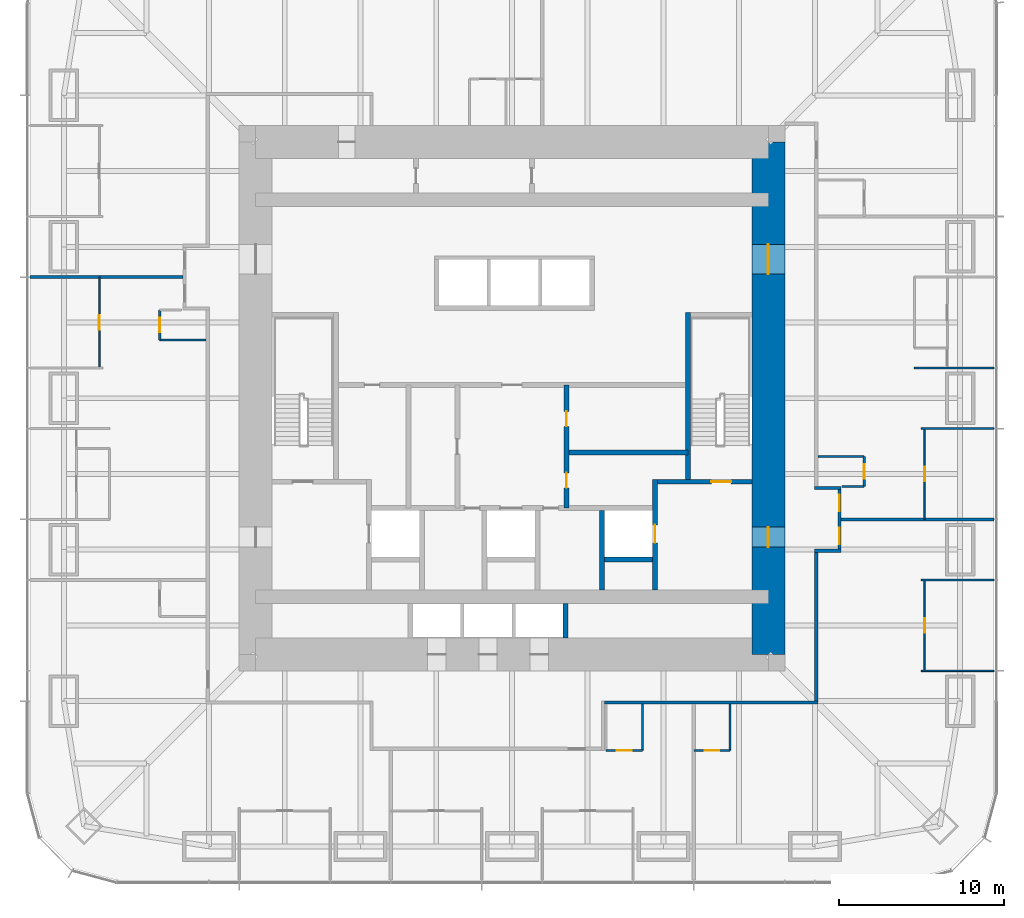
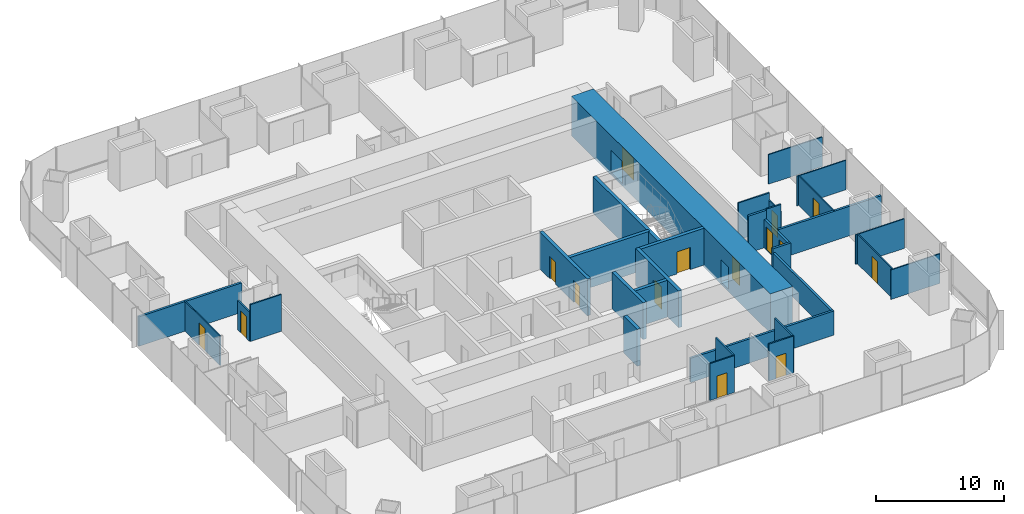
# One storey, part 10 of 13: 32 walls, 15 doors, 15 openings.
"""IFC4 building model written with IfcOpenShell, lengths in metres."""

from ifc_helpers import new_model, si_unit, direction, frame, frame_2d, origin, place, context, subcontext, project, spatial, rectangle, extrude, material, layer, layer_set, type_object, element, fill, save


model = new_model("IFC4")

# Units and contexts
model_context = context("Model", 3, precision=1e-05, world=origin(), true_north=direction((0.0, 1.0)))
body_context = subcontext(model_context, "Body", "Model", "MODEL_VIEW")
ifc_project = project(units=[si_unit("LENGTHUNIT", "METRE"), si_unit("AREAUNIT", "SQUARE_METRE"), si_unit("VOLUMEUNIT", "CUBIC_METRE"), si_unit("PLANEANGLEUNIT", "RADIAN"), si_unit("MASSUNIT", "GRAM", prefix="KILO")], contexts=[model_context])

# Site, building, storey
site_placement = place(None, origin())
site = spatial("IfcSite", under=ifc_project, at=site_placement, CompositionType="ELEMENT")
building_placement = place(site_placement, origin())
building = spatial("IfcBuilding", under=site, at=building_placement, Name="Khuree Lantern Residences", CompositionType="ELEMENT")
storey_placement = place(building_placement, frame((0.0, 0.0, 114.75)))
storey = spatial("IfcBuildingStorey", under=building, at=storey_placement, Name="L28", CompositionType="ELEMENT", Elevation=114.75)

# Wall, opening, door
ifc_material_1 = material(Name="Moisture-resistant gypsum board on steel studs", Category="steel")
ifc_layer_1 = layer(ifc_material_1, 0.125)
ifc_layer_set_1 = layer_set([ifc_layer_1], Name="BATHROOM WALL BTW125")
wall_type_1 = type_object("IfcWallType", Name="BATHROOM WALL BTW125", PredefinedType="PARTITIONING", material=ifc_layer_set_1)
wall_1_placement = place(storey_placement, frame((21.300048828125, -5.327880859375, 0.0), z_axis=(0.0, 0.0, 1.0), x_axis=(0.0, 1.0, 0.0)))
wall_1 = element("IfcWall", 1, at=wall_1_placement, inside=storey, type_object=wall_type_1, Name="L28 BATHROOM WALL 01", PredefinedType="PARTITIONING", context=body_context, shape_type="SweptSolid", body=[
    extrude(rectangle(XDim=1.7998046875, YDim=0.125, at=frame_2d((0.89990234375, 0.0))), origin(), (0.0, 0.0, 1.0), 2.81005859375),
])
opening_1_placement = place(wall_1_placement, frame((0.449951171875, 0.0, 0.0)))
opening_1 = element("IfcOpeningElement", 2, at=opening_1_placement, cuts=wall_1, Name="Opening 28-026", PredefinedType="OPENING", context=body_context, shape_type="SweptSolid", body=[
    extrude(rectangle(XDim=0.89990234375, YDim=2.10009765625, at=frame_2d((0.449951171875, 1.050048828125))), frame((0.0, 0.072509765625, 0.0), z_axis=(0.0, -1.0, 0.0), x_axis=(1.0, 0.0, 0.0)), (0.0, 0.0, 1.0), 0.14501953125),
])
ifc_material_2 = material(Name="Timber door leaf in hardwood frame", Category="wood")
door_type_1 = type_object("IfcDoorType", Name="BATHROOM DOOR 900X2100", OperationType="SINGLE_SWING_LEFT", PredefinedType="DOOR", material=ifc_material_2)
door_1_placement = place(opening_1_placement, origin())
door_1 = element("IfcDoor", 3, at=door_1_placement, inside=storey, type_object=door_type_1, Name="Bathroom door 28-026", OperationType="SINGLE_SWING_LEFT", OverallHeight=2.10009765625, OverallWidth=0.89990234375, PredefinedType="DOOR", context=body_context, shape_type="SweptSolid", body=[
    extrude(rectangle(XDim=0.89990234375, YDim=2.10009765625, at=frame_2d((0.449951171875, 1.050048828125))), frame((0.0, 0.02490234375, 0.0), z_axis=(0.0, -1.0, 0.0), x_axis=(1.0, 0.0, 0.0)), (0.0, 0.0, 1.0), 0.050048828125),
])
fill(opening_1, door_1)

# Walls
wall_2_placement = place(storey_placement, frame((19.969970703125, -5.327880859375, 0.0), z_axis=(0.0, 0.0, 1.0), x_axis=(1.0, 0.0, 0.0)))
element("IfcWall", 4, at=wall_2_placement, inside=storey, type_object=wall_type_1, Name="L28 BATHROOM WALL 01", PredefinedType="PARTITIONING", context=body_context, shape_type="SweptSolid", body=[
    extrude(rectangle(XDim=1.330078125, YDim=0.125, at=frame_2d((0.6650390625, 0.0))), origin(), (0.0, 0.0, 1.0), 3.5),
])
wall_3_placement = place(storey_placement, frame((18.5, -3.528076171875, 0.0), z_axis=(0.0, 0.0, 1.0), x_axis=(1.0, 0.0, 0.0)))
element("IfcWall", 5, at=wall_3_placement, inside=storey, type_object=wall_type_1, Name="L28 BATHROOM WALL 01", PredefinedType="PARTITIONING", context=body_context, shape_type="SweptSolid", body=[
    extrude(rectangle(XDim=2.800048828125, YDim=0.125, at=frame_2d((1.39990234375, 0.0))), origin(), (0.0, 0.0, 1.0), 3.5),
])

# Wall, opening, door
wall_4_placement = place(storey_placement, frame((-21.300048828125, 5.327880859375, 0.0), z_axis=(0.0, 0.0, 1.0), x_axis=(0.0, -1.0, 0.0)))
wall_4 = element("IfcWall", 6, at=wall_4_placement, inside=storey, type_object=wall_type_1, Name="L28 BATHROOM WALL 04", PredefinedType="PARTITIONING", context=body_context, shape_type="SweptSolid", body=[
    extrude(rectangle(XDim=1.7998046875, YDim=0.125, at=frame_2d((0.89990234375, 0.0))), origin(), (0.0, 0.0, 1.0), 2.81005859375),
])
opening_2_placement = place(wall_4_placement, frame((0.449951171875, 0.0, 0.0)))
opening_2 = element("IfcOpeningElement", 7, at=opening_2_placement, cuts=wall_4, Name="Opening 28-040", PredefinedType="OPENING", context=body_context, shape_type="SweptSolid", body=[
    extrude(rectangle(XDim=0.89990234375, YDim=2.10009765625, at=frame_2d((0.449951171875, 1.050048828125))), frame((0.0, 0.072509765625, 0.0), z_axis=(0.0, -1.0, 0.0), x_axis=(1.0, 0.0, 0.0)), (0.0, 0.0, 1.0), 0.14501953125),
])
door_2_placement = place(opening_2_placement, origin())
door_2 = element("IfcDoor", 8, at=door_2_placement, inside=storey, type_object=door_type_1, Name="Bathroom door 28-040", OperationType="SINGLE_SWING_LEFT", OverallHeight=2.10009765625, OverallWidth=0.89990234375, PredefinedType="DOOR", context=body_context, shape_type="SweptSolid", body=[
    extrude(rectangle(XDim=0.89990234375, YDim=2.10009765625, at=frame_2d((0.449951171875, 1.050048828125))), frame((0.0, 0.02490234375, 0.0), z_axis=(0.0, -1.0, 0.0), x_axis=(1.0, 0.0, 0.0)), (0.0, 0.0, 1.0), 0.050048828125),
])
fill(opening_2, door_2)

# Wall
wall_5_placement = place(storey_placement, frame((-18.5, 3.528076171875, 0.0), z_axis=(0.0, 0.0, 1.0), x_axis=(-1.0, 0.0, 0.0)))
element("IfcWall", 9, at=wall_5_placement, inside=storey, type_object=wall_type_1, Name="L28 BATHROOM WALL 04", PredefinedType="PARTITIONING", context=body_context, shape_type="SweptSolid", body=[
    extrude(rectangle(XDim=2.800048828125, YDim=0.125, at=frame_2d((1.39990234375, 0.0))), origin(), (0.0, 0.0, 1.0), 3.5),
])

# Wall, opening, door
wall_6_placement = place(storey_placement, frame((5.68359375, -21.300048828125, 0.0), z_axis=(0.0, 0.0, 1.0), x_axis=(1.0, 0.0, 0.0)))
wall_6 = element("IfcWall", 10, at=wall_6_placement, inside=storey, type_object=wall_type_1, Name="L28 BATHROOM WALL 06", PredefinedType="PARTITIONING", context=body_context, shape_type="SweptSolid", body=[
    extrude(rectangle(XDim=2.199951171875, YDim=0.125, at=frame_2d((1.10009765625, 0.0))), origin(), (0.0, 0.0, 1.0), 3.5),
])
opening_3_placement = place(wall_6_placement, frame((0.64990234375, 0.0, 0.0)))
opening_3 = element("IfcOpeningElement", 11, at=opening_3_placement, cuts=wall_6, Name="Opening 28-047", PredefinedType="OPENING", context=body_context, shape_type="SweptSolid", body=[
    extrude(rectangle(XDim=0.89990234375, YDim=2.10009765625, at=frame_2d((0.449951171875, 1.050048828125))), frame((0.0, 0.072509765625, 0.0), z_axis=(0.0, -1.0, 0.0), x_axis=(1.0, 0.0, 0.0)), (0.0, 0.0, 1.0), 0.14501953125),
])
door_3_placement = place(opening_3_placement, origin())
door_3 = element("IfcDoor", 12, at=door_3_placement, inside=storey, type_object=door_type_1, Name="Bathroom door 28-047", OperationType="SINGLE_SWING_LEFT", OverallHeight=2.10009765625, OverallWidth=0.89990234375, PredefinedType="DOOR", context=body_context, shape_type="SweptSolid", body=[
    extrude(rectangle(XDim=0.89990234375, YDim=2.10009765625, at=frame_2d((0.449951171875, 1.050048828125))), frame((0.0, 0.02490234375, 0.0), z_axis=(0.0, -1.0, 0.0), x_axis=(1.0, 0.0, 0.0)), (0.0, 0.0, 1.0), 0.050048828125),
])
fill(opening_3, door_3)

# Wall
wall_7_placement = place(storey_placement, frame((7.883544921875, -18.5, 0.0), z_axis=(0.0, 0.0, 1.0), x_axis=(0.0, -1.0, 0.0)))
element("IfcWall", 13, at=wall_7_placement, inside=storey, type_object=wall_type_1, Name="L28 BATHROOM WALL 06", PredefinedType="PARTITIONING", context=body_context, shape_type="SweptSolid", body=[
    extrude(rectangle(XDim=2.800048828125, YDim=0.125, at=frame_2d((1.39990234375, 0.0))), origin(), (0.0, 0.0, 1.0), 3.5),
])

# Wall, opening, door
wall_8_placement = place(storey_placement, frame((10.991943359375, -21.300048828125, 0.0), z_axis=(0.0, 0.0, 1.0), x_axis=(1.0, 0.0, 0.0)))
wall_8 = element("IfcWall", 14, at=wall_8_placement, inside=storey, type_object=wall_type_1, Name="L28 BATHROOM WALL 07", PredefinedType="PARTITIONING", context=body_context, shape_type="SweptSolid", body=[
    extrude(rectangle(XDim=2.199951171875, YDim=0.125, at=frame_2d((1.10009765625, 0.0))), origin(), (0.0, 0.0, 1.0), 3.5),
])
opening_4_placement = place(wall_8_placement, frame((0.64990234375, 0.0, 0.0)))
opening_4 = element("IfcOpeningElement", 15, at=opening_4_placement, cuts=wall_8, Name="Opening 28-050", PredefinedType="OPENING", context=body_context, shape_type="SweptSolid", body=[
    extrude(rectangle(XDim=0.89990234375, YDim=2.10009765625, at=frame_2d((0.449951171875, 1.050048828125))), frame((0.0, 0.072509765625, 0.0), z_axis=(0.0, -1.0, 0.0), x_axis=(1.0, 0.0, 0.0)), (0.0, 0.0, 1.0), 0.14501953125),
])
door_4_placement = place(opening_4_placement, origin())
door_4 = element("IfcDoor", 16, at=door_4_placement, inside=storey, type_object=door_type_1, Name="Bathroom door 28-050", OperationType="SINGLE_SWING_LEFT", OverallHeight=2.10009765625, OverallWidth=0.89990234375, PredefinedType="DOOR", context=body_context, shape_type="SweptSolid", body=[
    extrude(rectangle(XDim=0.89990234375, YDim=2.10009765625, at=frame_2d((0.449951171875, 1.050048828125))), frame((0.0, 0.02490234375, 0.0), z_axis=(0.0, -1.0, 0.0), x_axis=(1.0, 0.0, 0.0)), (0.0, 0.0, 1.0), 0.050048828125),
])
fill(opening_4, door_4)

# Wall
wall_9_placement = place(storey_placement, frame((13.19189453125, -18.5, 0.0), z_axis=(0.0, 0.0, 1.0), x_axis=(0.0, -1.0, 0.0)))
element("IfcWall", 17, at=wall_9_placement, inside=storey, type_object=wall_type_1, Name="L28 BATHROOM WALL 07", PredefinedType="PARTITIONING", context=body_context, shape_type="SweptSolid", body=[
    extrude(rectangle(XDim=2.800048828125, YDim=0.125, at=frame_2d((1.39990234375, 0.0))), origin(), (0.0, 0.0, 1.0), 3.5),
])

# Wall, opening, door
ifc_material_3 = material(Name="Dense concrete blockwork", Category="masonry")
ifc_layer_2 = layer(ifc_material_3, 0.300048828125)
ifc_layer_set_2 = layer_set([ifc_layer_2], Name="CORE PARTITION WALL CPW300 EI 120")
wall_type_2 = type_object("IfcWallType", Name="CORE PARTITION WALL CPW300 EI 120", PredefinedType="PARTITIONING", material=ifc_layer_set_2)
wall_10_placement = place(storey_placement, frame((8.64990234375, -11.60009765625, 0.0), z_axis=(0.0, 0.0, 1.0), x_axis=(0.0, 1.0, 0.0)))
wall_10 = element("IfcWall", 18, at=wall_10_placement, inside=storey, type_object=wall_type_2, Name="L28 CORE WALL FL2E", PredefinedType="PARTITIONING", context=body_context, shape_type="SweptSolid", body=[
    extrude(rectangle(XDim=6.7001953125, YDim=0.300048828125, at=frame_2d((3.35009765625, 0.0))), origin(), (0.0, 0.0, 1.0), 3.5),
])
opening_5_placement = place(wall_10_placement, frame((2.85009765625, 0.0, 0.0)))
opening_5 = element("IfcOpeningElement", 19, at=opening_5_placement, cuts=wall_10, Name="Opening 28-008", PredefinedType="OPENING", context=body_context, shape_type="SweptSolid", body=[
    extrude(rectangle(XDim=1.10009765625, YDim=2.10009765625, at=frame_2d((0.550048828125, 1.050048828125))), frame((0.0, 0.16015625, 0.0), z_axis=(0.0, -1.0, 0.0), x_axis=(1.0, 0.0, 0.0)), (0.0, 0.0, 1.0), 0.320068359375),
])
ifc_material_4 = material(Name="Stainless steel lift landing door", Category="steel")
door_type_2 = type_object("IfcDoorType", Name="LIFT LANDING DOOR 1100X2100 E 120", OperationType="DOUBLE_DOOR_SLIDING", PredefinedType="DOOR", material=ifc_material_4)
door_5_placement = place(opening_5_placement, origin())
door_5 = element("IfcDoor", 20, at=door_5_placement, inside=storey, type_object=door_type_2, Name="Landing door FL2 28-008", OperationType="DOUBLE_DOOR_SLIDING", OverallHeight=2.10009765625, OverallWidth=1.10009765625, PredefinedType="DOOR", context=body_context, shape_type="SweptSolid", body=[
    extrude(rectangle(XDim=1.10009765625, YDim=2.10009765625, at=frame_2d((0.550048828125, 1.050048828125))), frame((0.0, 0.02490234375, 0.0), z_axis=(0.0, -1.0, 0.0), x_axis=(1.0, 0.0, 0.0)), (0.0, 0.0, 1.0), 0.050048828125),
])
fill(opening_5, door_5)

# Walls
wall_11_placement = place(storey_placement, frame((5.449951171875, -11.60009765625, 0.0), z_axis=(0.0, 0.0, 1.0), x_axis=(0.0, 1.0, 0.0)))
element("IfcWall", 21, at=wall_11_placement, inside=storey, type_object=wall_type_2, Name="L28 CORE WALL FL2W", PredefinedType="PARTITIONING", context=body_context, shape_type="SweptSolid", body=[
    extrude(rectangle(XDim=4.800048828125, YDim=0.300048828125, at=frame_2d((2.39990234375, 0.0))), origin(), (0.0, 0.0, 1.0), 3.5),
])
wall_12_placement = place(storey_placement, frame((5.60009765625, -9.75, 0.0), z_axis=(0.0, 0.0, 1.0), x_axis=(1.0, 0.0, 0.0)))
element("IfcWall", 22, at=wall_12_placement, inside=storey, type_object=wall_type_2, Name="L28 CORE WALL FL2S", PredefinedType="PARTITIONING", context=body_context, shape_type="SweptSolid", body=[
    extrude(rectangle(XDim=2.89990234375, YDim=0.300048828125, at=frame_2d((1.449951171875, 0.0))), origin(), (0.0, 0.0, 1.0), 3.5),
])
wall_13_placement = place(storey_placement, frame((3.25, -14.5, 0.0), z_axis=(0.0, 0.0, 1.0), x_axis=(0.0, 1.0, 0.0)))
element("IfcWall", 23, at=wall_13_placement, inside=storey, type_object=wall_type_2, Name="L28 CORE WALL PME", PredefinedType="PARTITIONING", context=body_context, shape_type="SweptSolid", body=[
    extrude(rectangle(XDim=2.10009765625, YDim=0.300048828125, at=frame_2d((1.050048828125, 0.0))), origin(), (0.0, 0.0, 1.0), 3.5),
])

# Wall, openings, doors
wall_14_placement = place(storey_placement, frame((3.300048828125, -6.64990234375, 0.0), z_axis=(0.0, 0.0, 1.0), x_axis=(0.0, 1.0, 0.0)))
wall_14 = element("IfcWall", 24, at=wall_14_placement, inside=storey, type_object=wall_type_2, Name="L28 CORE WALL SVE", PredefinedType="PARTITIONING", context=body_context, shape_type="SweptSolid", body=[
    extrude(rectangle(XDim=7.449951171875, YDim=0.300048828125, at=frame_2d((3.72509765625, 0.0))), origin(), (0.0, 0.0, 1.0), 3.5),
])
opening_6_placement = place(wall_14_placement, frame((1.23095703125, 0.0, 0.0)))
opening_6 = element("IfcOpeningElement", 25, at=opening_6_placement, cuts=wall_14, Name="Opening 28-018", PredefinedType="OPENING", context=body_context, shape_type="SweptSolid", body=[
    extrude(rectangle(XDim=0.89990234375, YDim=2.10009765625, at=frame_2d((0.449951171875, 1.050048828125))), frame((0.0, 0.16015625, 0.0), z_axis=(0.0, -1.0, 0.0), x_axis=(1.0, 0.0, 0.0)), (0.0, 0.0, 1.0), 0.320068359375),
])
opening_7_placement = place(wall_14_placement, frame((4.9560546875, 0.0, 0.0)))
opening_7 = element("IfcOpeningElement", 26, at=opening_7_placement, cuts=wall_14, Name="Opening 28-019", PredefinedType="OPENING", context=body_context, shape_type="SweptSolid", body=[
    extrude(rectangle(XDim=0.89990234375, YDim=2.10009765625, at=frame_2d((0.449951171875, 1.050048828125))), frame((0.0, 0.16015625, 0.0), z_axis=(0.0, -1.0, 0.0), x_axis=(1.0, 0.0, 0.0)), (0.0, 0.0, 1.0), 0.320068359375),
])
door_type_3 = type_object("IfcDoorType", Name="DOOR 900X2100", OperationType="SINGLE_SWING_LEFT", PredefinedType="DOOR", material=ifc_material_2)
door_6_placement = place(opening_6_placement, origin())
door_6 = element("IfcDoor", 27, at=door_6_placement, inside=storey, type_object=door_type_3, Name="Parcel room door 28-018", OperationType="SINGLE_SWING_LEFT", OverallHeight=2.10009765625, OverallWidth=0.89990234375, PredefinedType="DOOR", context=body_context, shape_type="SweptSolid", body=[
    extrude(rectangle(XDim=0.89990234375, YDim=2.10009765625, at=frame_2d((0.449951171875, 1.050048828125))), frame((0.0, 0.02490234375, 0.0), z_axis=(0.0, -1.0, 0.0), x_axis=(1.0, 0.0, 0.0)), (0.0, 0.0, 1.0), 0.050048828125),
])
fill(opening_6, door_6)
door_type_4 = type_object("IfcDoorType", Name="DOOR 900X2100 RIGHT HAND", OperationType="SINGLE_SWING_RIGHT", PredefinedType="DOOR", material=ifc_material_2)
door_7_placement = place(opening_7_placement, origin())
door_7 = element("IfcDoor", 28, at=door_7_placement, inside=storey, type_object=door_type_4, Name="Residents' store door 28-019", OperationType="SINGLE_SWING_RIGHT", OverallHeight=2.10009765625, OverallWidth=0.89990234375, PredefinedType="DOOR", context=body_context, shape_type="SweptSolid", body=[
    extrude(rectangle(XDim=0.89990234375, YDim=2.10009765625, at=frame_2d((0.449951171875, 1.050048828125))), frame((0.0, 0.02490234375, 0.0), z_axis=(0.0, -1.0, 0.0), x_axis=(1.0, 0.0, 0.0)), (0.0, 0.0, 1.0), 0.050048828125),
])
fill(opening_7, door_7)

# Walls
wall_15_placement = place(storey_placement, frame((10.64990234375, -3.2880859375, 0.0), z_axis=(0.0, 0.0, 1.0), x_axis=(-1.0, 0.0, 0.0)))
element("IfcWall", 29, at=wall_15_placement, inside=storey, type_object=wall_type_2, Name="L28 CORE WALL EX", PredefinedType="PARTITIONING", context=body_context, shape_type="SweptSolid", body=[
    extrude(rectangle(XDim=7.349853515625, YDim=0.300048828125, at=frame_2d((3.6748046875, 0.0))), origin(), (0.0, 0.0, 1.0), 3.5),
])
ifc_material_5 = material(Name="Gypsum board on steel studs", Category="steel")
ifc_layer_3 = layer(ifc_material_5, 0.199951171875)
ifc_layer_set_3 = layer_set([ifc_layer_3], Name="CORRIDOR WALL CRW200 EI 60")
wall_type_3 = type_object("IfcWallType", Name="CORRIDOR WALL CRW200 EI 60", PredefinedType="PARTITIONING", material=ifc_layer_set_3)
wall_16_placement = place(storey_placement, frame((18.39990234375, -18.300048828125, 0.0), z_axis=(0.0, 0.0, 1.0), x_axis=(0.0, 1.0, 0.0)))
element("IfcWall", 30, at=wall_16_placement, inside=storey, type_object=wall_type_3, Name="L28 CORRIDOR WALL EAST 1", PredefinedType="PARTITIONING", context=body_context, shape_type="SweptSolid", body=[
    extrude(rectangle(XDim=8.97216796875, YDim=0.199951171875, at=frame_2d((4.486083984375, 0.0))), origin(), (0.0, 0.0, 1.0), 2.300048828125),
])
wall_17_placement = place(storey_placement, frame((18.300048828125, -9.22802734375, 0.0), z_axis=(0.0, 0.0, 1.0), x_axis=(1.0, 0.0, 0.0)))
element("IfcWall", 31, at=wall_17_placement, inside=storey, type_object=wall_type_3, Name="L28 CORRIDOR ALCOVE WALL EAST", PredefinedType="PARTITIONING", context=body_context, shape_type="SweptSolid", body=[
    extrude(rectangle(XDim=1.599853515625, YDim=0.199951171875, at=frame_2d((0.7998046875, 0.0))), origin(), (0.0, 0.0, 1.0), 2.699951171875),
])
wall_18_placement = place(storey_placement, frame((18.300048828125, -5.427978515625, 0.0), z_axis=(0.0, 0.0, 1.0), x_axis=(1.0, 0.0, 0.0)))
element("IfcWall", 32, at=wall_18_placement, inside=storey, type_object=wall_type_3, Name="L28 CORRIDOR ALCOVE WALL EAST", PredefinedType="PARTITIONING", context=body_context, shape_type="SweptSolid", body=[
    extrude(rectangle(XDim=1.599853515625, YDim=0.199951171875, at=frame_2d((0.7998046875, 0.0))), origin(), (0.0, 0.0, 1.0), 3.5),
])

# Wall, openings, doors
wall_19_placement = place(storey_placement, frame((19.800048828125, -9.1279296875, 0.0), z_axis=(0.0, 0.0, 1.0), x_axis=(0.0, 1.0, 0.0)))
wall_19 = element("IfcWall", 33, at=wall_19_placement, inside=storey, type_object=wall_type_3, Name="L28 CORRIDOR ALCOVE WALL EAST", PredefinedType="PARTITIONING", context=body_context, shape_type="SweptSolid", body=[
    extrude(rectangle(XDim=3.599853515625, YDim=0.199951171875, at=frame_2d((1.7998046875, 0.0))), origin(), (0.0, 0.0, 1.0), 2.699951171875),
])
opening_8_placement = place(wall_19_placement, frame((2.300048828125, 0.0, 0.0)))
opening_8 = element("IfcOpeningElement", 34, at=opening_8_placement, cuts=wall_19, Name="Opening 28-027", PredefinedType="OPENING", context=body_context, shape_type="SweptSolid", body=[
    extrude(rectangle(XDim=1.0, YDim=2.199951171875, at=frame_2d((0.5, 1.10009765625))), frame((0.0, 0.10986328125, 0.0), z_axis=(0.0, -1.0, 0.0), x_axis=(1.0, 0.0, 0.0)), (0.0, 0.0, 1.0), 0.219970703125),
])
opening_9_placement = place(wall_19_placement, frame((0.300048828125, 0.0, 0.0)))
opening_9 = element("IfcOpeningElement", 35, at=opening_9_placement, cuts=wall_19, Name="Opening 28-051", PredefinedType="OPENING", context=body_context, shape_type="SweptSolid", body=[
    extrude(rectangle(XDim=1.0, YDim=2.199951171875, at=frame_2d((0.5, 1.10009765625))), frame((0.0, 0.10986328125, 0.0), z_axis=(0.0, -1.0, 0.0), x_axis=(1.0, 0.0, 0.0)), (0.0, 0.0, 1.0), 0.219970703125),
])
door_type_5 = type_object("IfcDoorType", Name="APARTMENT ENTRANCE DOOR 1000X2200 EI 30S", OperationType="SINGLE_SWING_LEFT", PredefinedType="DOOR", material=ifc_material_2)
door_8_placement = place(opening_9_placement, origin())
door_8 = element("IfcDoor", 36, at=door_8_placement, inside=storey, type_object=door_type_5, Name="Apartment 07 entrance door 28-051", OperationType="SINGLE_SWING_LEFT", OverallHeight=2.199951171875, OverallWidth=1.0, PredefinedType="DOOR", context=body_context, shape_type="SweptSolid", body=[
    extrude(rectangle(XDim=1.0, YDim=2.199951171875, at=frame_2d((0.5, 1.10009765625))), frame((0.0, 0.02490234375, 0.0), z_axis=(0.0, -1.0, 0.0), x_axis=(1.0, 0.0, 0.0)), (0.0, 0.0, 1.0), 0.050048828125),
])
fill(opening_9, door_8)
door_type_6 = type_object("IfcDoorType", Name="APARTMENT ENTRANCE DOOR 1000X2200 EI 30S RIGHT HAND", OperationType="SINGLE_SWING_RIGHT", PredefinedType="DOOR", material=ifc_material_2)
door_9_placement = place(opening_8_placement, origin())
door_9 = element("IfcDoor", 37, at=door_9_placement, inside=storey, type_object=door_type_6, Name="Apartment 01 entrance door 28-027", OperationType="SINGLE_SWING_RIGHT", OverallHeight=2.199951171875, OverallWidth=1.0, PredefinedType="DOOR", context=body_context, shape_type="SweptSolid", body=[
    extrude(rectangle(XDim=1.0, YDim=2.199951171875, at=frame_2d((0.5, 1.10009765625))), frame((0.0, 0.02490234375, 0.0), z_axis=(0.0, -1.0, 0.0), x_axis=(1.0, 0.0, 0.0)), (0.0, 0.0, 1.0), 0.050048828125),
])
fill(opening_8, door_9)

# Wall
wall_20_placement = place(storey_placement, frame((18.5, -18.39990234375, 0.0), z_axis=(0.0, 0.0, 1.0), x_axis=(-1.0, 0.0, 0.0)))
element("IfcWall", 38, at=wall_20_placement, inside=storey, type_object=wall_type_3, Name="L28 CORRIDOR WALL SOUTH 1", PredefinedType="PARTITIONING", context=body_context, shape_type="SweptSolid", body=[
    extrude(rectangle(XDim=12.89990234375, YDim=0.199951171875, at=frame_2d((6.449951171875, 0.0))), origin(), (0.0, 0.0, 1.0), 2.300048828125),
])

# Wall, openings, doors
ifc_material_6 = material(Name="Concrete C70/85", Category="concrete")
ifc_layer_4 = layer(ifc_material_6, 2.0)
ifc_layer_set_4 = layer_set([ifc_layer_4], Name="CW2000-C70 CORE WALL C70 2000")
wall_type_4 = type_object("IfcWallType", Name="CW2000-C70 CORE WALL C70 2000", PredefinedType="SHEAR", material=ifc_layer_set_4)
wall_21_placement = place(storey_placement, frame((15.5, -15.5, -0.25), z_axis=(0.0, 0.0, 1.0), x_axis=(0.0, 1.0, 0.0)))
wall_21 = element("IfcWall", 39, at=wall_21_placement, inside=storey, type_object=wall_type_4, Name="Core wall E", PredefinedType="SHEAR", context=body_context, shape_type="SweptSolid", body=[
    extrude(rectangle(XDim=31.0, YDim=2.0, at=frame_2d((15.5, 0.0))), origin(), (0.0, 0.0, 1.0), 3.75),
])
opening_10_placement = place(wall_21_placement, frame((6.5, 0.0, 0.25)))
opening_10 = element("IfcOpeningElement", 40, at=opening_10_placement, cuts=wall_21, Name="Opening 28-005", PredefinedType="OPENING", context=body_context, shape_type="SweptSolid", body=[
    extrude(rectangle(XDim=1.199951171875, YDim=2.10009765625, at=frame_2d((0.60009765625, 1.050048828125))), frame((0.0, 1.010009765625, 0.0), z_axis=(0.0, -1.0, 0.0), x_axis=(1.0, 0.0, 0.0)), (0.0, 0.0, 1.0), 2.02001953125),
])
opening_11_placement = place(wall_21_placement, frame((23.0, 0.0, 0.25)))
opening_11 = element("IfcOpeningElement", 41, at=opening_11_placement, cuts=wall_21, Name="Opening 28-006", PredefinedType="OPENING", context=body_context, shape_type="SweptSolid", body=[
    extrude(rectangle(XDim=1.800048828125, YDim=2.10009765625, at=frame_2d((0.89990234375, 1.050048828125))), frame((0.0, 1.010009765625, 0.0), z_axis=(0.0, -1.0, 0.0), x_axis=(1.0, 0.0, 0.0)), (0.0, 0.0, 1.0), 2.02001953125),
])
ifc_material_7 = material(Name="Steel door leaf in steel frame", Category="steel")
door_type_7 = type_object("IfcDoorType", Name="LOBBY DOOR 1200X2100 EI 120", OperationType="SINGLE_SWING_LEFT", PredefinedType="DOOR", material=ifc_material_7)
door_10_placement = place(opening_10_placement, origin())
door_10 = element("IfcDoor", 42, at=door_10_placement, inside=storey, type_object=door_type_7, Name="Firefighting lobby door 28-005", OperationType="SINGLE_SWING_LEFT", OverallHeight=2.10009765625, OverallWidth=1.199951171875, PredefinedType="DOOR", context=body_context, shape_type="SweptSolid", body=[
    extrude(rectangle(XDim=1.199951171875, YDim=2.10009765625, at=frame_2d((0.60009765625, 1.050048828125))), frame((0.0, 0.02490234375, 0.0), z_axis=(0.0, -1.0, 0.0), x_axis=(1.0, 0.0, 0.0)), (0.0, 0.0, 1.0), 0.050048828125),
])
fill(opening_10, door_10)
door_type_8 = type_object("IfcDoorType", Name="LOBBY DOUBLE DOOR 1800X2100 EI 60", OperationType="DOUBLE_DOOR_SINGLE_SWING", PredefinedType="DOOR", material=ifc_material_7)
door_11_placement = place(opening_11_placement, origin())
door_11 = element("IfcDoor", 43, at=door_11_placement, inside=storey, type_object=door_type_8, Name="Lift lobby door 28-006", OperationType="DOUBLE_DOOR_SINGLE_SWING", OverallHeight=2.10009765625, OverallWidth=1.800048828125, PredefinedType="DOOR", context=body_context, shape_type="SweptSolid", body=[
    extrude(rectangle(XDim=1.800048828125, YDim=2.10009765625, at=frame_2d((0.89990234375, 1.050048828125))), frame((0.0, 0.02490234375, 0.0), z_axis=(0.0, -1.0, 0.0), x_axis=(1.0, 0.0, 0.0)), (0.0, 0.0, 1.0), 0.050048828125),
])
fill(opening_11, door_11)

# Walls
ifc_layer_5 = layer(ifc_material_5, 0.199951171875)
ifc_layer_set_5 = layer_set([ifc_layer_5], Name="DEMISING WALL DMW200 EI 90")
wall_type_5 = type_object("IfcWallType", Name="DEMISING WALL DMW200 EI 90", PredefinedType="PARTITIONING", material=ifc_layer_set_5)
for number, where, z_axis, x_axis, name in (
    (44, (19.89990234375, -7.327880859375, 0.0), (0.0, 0.0, 1.0), (1.0, 0.0, 0.0), "L28 DEMISING WALL 01"),
    (45, (-19.89990234375, 7.327880859375, 0.0), (0.0, 0.0, 1.0), (-1.0, 0.0, 0.0), "L28 DEMISING WALL 04"),
):
    element("IfcWall", number, at=place(storey_placement, frame(where, z_axis=z_axis, x_axis=x_axis)), inside=storey, type_object=wall_type_5, Name=name, PredefinedType="PARTITIONING", context=body_context, shape_type="SweptSolid", body=[
        extrude(rectangle(XDim=9.25, YDim=0.199951171875, at=frame_2d((4.625, 0.0))), origin(), (0.0, 0.0, 1.0), 2.81005859375),
    ])
ifc_layer_6 = layer(ifc_material_5, 0.10009765625)
ifc_layer_set_6 = layer_set([ifc_layer_6], Name="PARTITION PT100")
wall_type_6 = type_object("IfcWallType", Name="PARTITION PT100", PredefinedType="PARTITIONING", material=ifc_layer_set_6)
wall_22_placement = place(storey_placement, frame((24.75, -1.83203125, 0.0), z_axis=(0.0, 0.0, 1.0), x_axis=(1.0, 0.0, 0.0)))
element("IfcWall", 46, at=wall_22_placement, inside=storey, type_object=wall_type_6, Name="L28 PARTITION 01", PredefinedType="PARTITIONING", context=body_context, shape_type="SweptSolid", body=[
    extrude(rectangle(XDim=4.39990234375, YDim=0.10009765625, at=frame_2d((2.199951171875, 0.0))), origin(), (0.0, 0.0, 1.0), 2.81005859375),
])
wall_23_placement = place(storey_placement, frame((24.329833984375, 1.83203125, 0.0), z_axis=(0.0, 0.0, 1.0), x_axis=(1.0, 0.0, 0.0)))
element("IfcWall", 47, at=wall_23_placement, inside=storey, type_object=wall_type_6, Name="L28 PARTITION 01", PredefinedType="PARTITIONING", context=body_context, shape_type="SweptSolid", body=[
    extrude(rectangle(XDim=4.820068359375, YDim=0.10009765625, at=frame_2d((2.41015625, 0.0))), origin(), (0.0, 0.0, 1.0), 2.81005859375),
])
for number, where, z_axis, x_axis, name in (
    (48, (24.75, -16.488037109375, 0.0), (0.0, 0.0, 1.0), (1.0, 0.0, 0.0), "L28 PARTITION 07"),
    (49, (24.75, -10.991943359375, 0.0), (0.0, 0.0, 1.0), (1.0, 0.0, 0.0), "L28 PARTITION 07"),
):
    element("IfcWall", number, at=place(storey_placement, frame(where, z_axis=z_axis, x_axis=x_axis)), inside=storey, type_object=wall_type_6, Name=name, PredefinedType="PARTITIONING", context=body_context, shape_type="SweptSolid", body=[
        extrude(rectangle(XDim=4.39990234375, YDim=0.10009765625, at=frame_2d((2.199951171875, 0.0))), origin(), (0.0, 0.0, 1.0), 2.81005859375),
    ])

# Wall, opening, door
wall_24_placement = place(storey_placement, frame((24.949951171875, -7.327880859375, 0.0), z_axis=(0.0, 0.0, 1.0), x_axis=(0.0, 1.0, 0.0)))
wall_24 = element("IfcWall", 50, at=wall_24_placement, inside=storey, type_object=wall_type_6, Name="L28 PARTITION 01", PredefinedType="PARTITIONING", context=body_context, shape_type="SweptSolid", body=[
    extrude(rectangle(XDim=5.495849609375, YDim=0.10009765625, at=frame_2d((2.748046875, 0.0))), origin(), (0.0, 0.0, 1.0), 2.81005859375),
])
opening_12_placement = place(wall_24_placement, frame((2.298095703125, 0.0, 0.0)))
opening_12 = element("IfcOpeningElement", 51, at=opening_12_placement, cuts=wall_24, Name="Opening 28-023", PredefinedType="OPENING", context=body_context, shape_type="SweptSolid", body=[
    extrude(rectangle(XDim=0.89990234375, YDim=2.10009765625, at=frame_2d((0.449951171875, 1.050048828125))), frame((0.0, 0.06005859375, 0.0), z_axis=(0.0, -1.0, 0.0), x_axis=(1.0, 0.0, 0.0)), (0.0, 0.0, 1.0), 0.1201171875),
])
door_type_9 = type_object("IfcDoorType", Name="BEDROOM DOOR 900X2100", OperationType="SINGLE_SWING_LEFT", PredefinedType="DOOR", material=ifc_material_2)
door_12_placement = place(opening_12_placement, origin())
door_12 = element("IfcDoor", 52, at=door_12_placement, inside=storey, type_object=door_type_9, Name="Bedroom door 28-023", OperationType="SINGLE_SWING_LEFT", OverallHeight=2.10009765625, OverallWidth=0.89990234375, PredefinedType="DOOR", context=body_context, shape_type="SweptSolid", body=[
    extrude(rectangle(XDim=0.89990234375, YDim=2.10009765625, at=frame_2d((0.449951171875, 1.050048828125))), frame((0.0, 0.02490234375, 0.0), z_axis=(0.0, -1.0, 0.0), x_axis=(1.0, 0.0, 0.0)), (0.0, 0.0, 1.0), 0.050048828125),
])
fill(opening_12, door_12)

wall_25_placement = place(storey_placement, frame((-24.949951171875, 7.327880859375, 0.0), z_axis=(0.0, 0.0, 1.0), x_axis=(0.0, -1.0, 0.0)))
wall_25 = element("IfcWall", 53, at=wall_25_placement, inside=storey, type_object=wall_type_6, Name="L28 PARTITION 04", PredefinedType="PARTITIONING", context=body_context, shape_type="SweptSolid", body=[
    extrude(rectangle(XDim=5.495849609375, YDim=0.10009765625, at=frame_2d((2.748046875, 0.0))), origin(), (0.0, 0.0, 1.0), 2.81005859375),
])
opening_13_placement = place(wall_25_placement, frame((2.298095703125, 0.0, 0.0)))
opening_13 = element("IfcOpeningElement", 54, at=opening_13_placement, cuts=wall_25, Name="Opening 28-037", PredefinedType="OPENING", context=body_context, shape_type="SweptSolid", body=[
    extrude(rectangle(XDim=0.89990234375, YDim=2.10009765625, at=frame_2d((0.449951171875, 1.050048828125))), frame((0.0, 0.06005859375, 0.0), z_axis=(0.0, -1.0, 0.0), x_axis=(1.0, 0.0, 0.0)), (0.0, 0.0, 1.0), 0.1201171875),
])
door_13_placement = place(opening_13_placement, origin())
door_13 = element("IfcDoor", 55, at=door_13_placement, inside=storey, type_object=door_type_9, Name="Bedroom door 28-037", OperationType="SINGLE_SWING_LEFT", OverallHeight=2.10009765625, OverallWidth=0.89990234375, PredefinedType="DOOR", context=body_context, shape_type="SweptSolid", body=[
    extrude(rectangle(XDim=0.89990234375, YDim=2.10009765625, at=frame_2d((0.449951171875, 1.050048828125))), frame((0.0, 0.02490234375, 0.0), z_axis=(0.0, -1.0, 0.0), x_axis=(1.0, 0.0, 0.0)), (0.0, 0.0, 1.0), 0.050048828125),
])
fill(opening_13, door_13)

wall_26_placement = place(storey_placement, frame((24.949951171875, -16.488037109375, 0.0), z_axis=(0.0, 0.0, 1.0), x_axis=(0.0, 1.0, 0.0)))
wall_26 = element("IfcWall", 56, at=wall_26_placement, inside=storey, type_object=wall_type_6, Name="L28 PARTITION 07", PredefinedType="PARTITIONING", context=body_context, shape_type="SweptSolid", body=[
    extrude(rectangle(XDim=5.49609375, YDim=0.10009765625, at=frame_2d((2.748046875, 0.0))), origin(), (0.0, 0.0, 1.0), 2.81005859375),
])
opening_14_placement = place(wall_26_placement, frame((2.298095703125, 0.0, 0.0)))
opening_14 = element("IfcOpeningElement", 57, at=opening_14_placement, cuts=wall_26, Name="Opening 28-049", PredefinedType="OPENING", context=body_context, shape_type="SweptSolid", body=[
    extrude(rectangle(XDim=0.89990234375, YDim=2.10009765625, at=frame_2d((0.449951171875, 1.050048828125))), frame((0.0, 0.06005859375, 0.0), z_axis=(0.0, -1.0, 0.0), x_axis=(1.0, 0.0, 0.0)), (0.0, 0.0, 1.0), 0.1201171875),
])
door_14_placement = place(opening_14_placement, origin())
door_14 = element("IfcDoor", 58, at=door_14_placement, inside=storey, type_object=door_type_9, Name="Bedroom door 28-049", OperationType="SINGLE_SWING_LEFT", OverallHeight=2.10009765625, OverallWidth=0.89990234375, PredefinedType="DOOR", context=body_context, shape_type="SweptSolid", body=[
    extrude(rectangle(XDim=0.89990234375, YDim=2.10009765625, at=frame_2d((0.449951171875, 1.050048828125))), frame((0.0, 0.02490234375, 0.0), z_axis=(0.0, -1.0, 0.0), x_axis=(1.0, 0.0, 0.0)), (0.0, 0.0, 1.0), 0.050048828125),
])
fill(opening_14, door_14)

# Wall
ifc_material_8 = material(Name="Concrete C50/60", Category="concrete")
ifc_layer_7 = layer(ifc_material_8, 0.300048828125)
ifc_layer_set_7 = layer_set([ifc_layer_7], Name="STAIR WALL SRW300 C50/60 REI 240")
wall_type_7 = type_object("IfcWallType", Name="STAIR WALL SRW300 C50/60 REI 240", PredefinedType="SOLIDWALL", material=ifc_layer_set_7)
wall_27_placement = place(storey_placement, frame((10.64990234375, -4.89990234375, 0.0), z_axis=(0.0, 0.0, 1.0), x_axis=(0.0, 1.0, 0.0)))
element("IfcWall", 59, at=wall_27_placement, inside=storey, type_object=wall_type_7, Name="L28 STAIR WALL ST2E", PredefinedType="SOLIDWALL", context=body_context, shape_type="SweptSolid", body=[
    extrude(rectangle(XDim=10.099853515625, YDim=0.300048828125, at=frame_2d((5.0498046875, 0.0))), origin(), (0.0, 0.0, 1.0), 3.5),
])

# Wall, opening, door
wall_28_placement = place(storey_placement, frame((14.5, -5.050048828125, 0.0), z_axis=(0.0, 0.0, 1.0), x_axis=(-1.0, 0.0, 0.0)))
wall_28 = element("IfcWall", 60, at=wall_28_placement, inside=storey, type_object=wall_type_7, Name="L28 STAIR WALL ST2S", PredefinedType="SOLIDWALL", context=body_context, shape_type="SweptSolid", body=[
    extrude(rectangle(XDim=5.699951171875, YDim=0.300048828125, at=frame_2d((2.85009765625, 0.0))), origin(), (0.0, 0.0, 1.0), 3.5),
])
opening_15_placement = place(wall_28_placement, frame((1.25, 0.0, 0.0)))
opening_15 = element("IfcOpeningElement", 61, at=opening_15_placement, cuts=wall_28, Name="Opening 28-004", PredefinedType="OPENING", context=body_context, shape_type="SweptSolid", body=[
    extrude(rectangle(XDim=1.199951171875, YDim=2.10009765625, at=frame_2d((0.60009765625, 1.050048828125))), frame((0.0, 0.16015625, 0.0), z_axis=(0.0, -1.0, 0.0), x_axis=(1.0, 0.0, 0.0)), (0.0, 0.0, 1.0), 0.320068359375),
])
door_type_10 = type_object("IfcDoorType", Name="STAIR DOOR 1200X2100 EI 120", OperationType="SINGLE_SWING_LEFT", PredefinedType="DOOR", material=ifc_material_7)
door_15_placement = place(opening_15_placement, origin())
door_15 = element("IfcDoor", 62, at=door_15_placement, inside=storey, type_object=door_type_10, Name="Stair ST2 door 28-004", OperationType="SINGLE_SWING_LEFT", OverallHeight=2.10009765625, OverallWidth=1.199951171875, PredefinedType="DOOR", context=body_context, shape_type="SweptSolid", body=[
    extrude(rectangle(XDim=1.199951171875, YDim=2.10009765625, at=frame_2d((0.60009765625, 1.050048828125))), frame((0.0, 0.02490234375, 0.0), z_axis=(0.0, -1.0, 0.0), x_axis=(1.0, 0.0, 0.0)), (0.0, 0.0, 1.0), 0.050048828125),
])
fill(opening_15, door_15)

save(model, "model.ifc")
